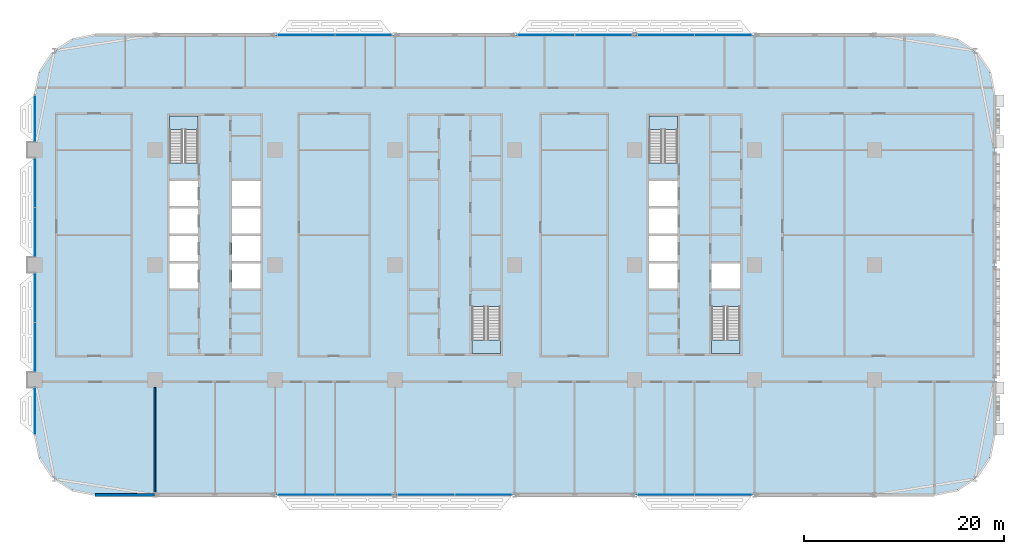
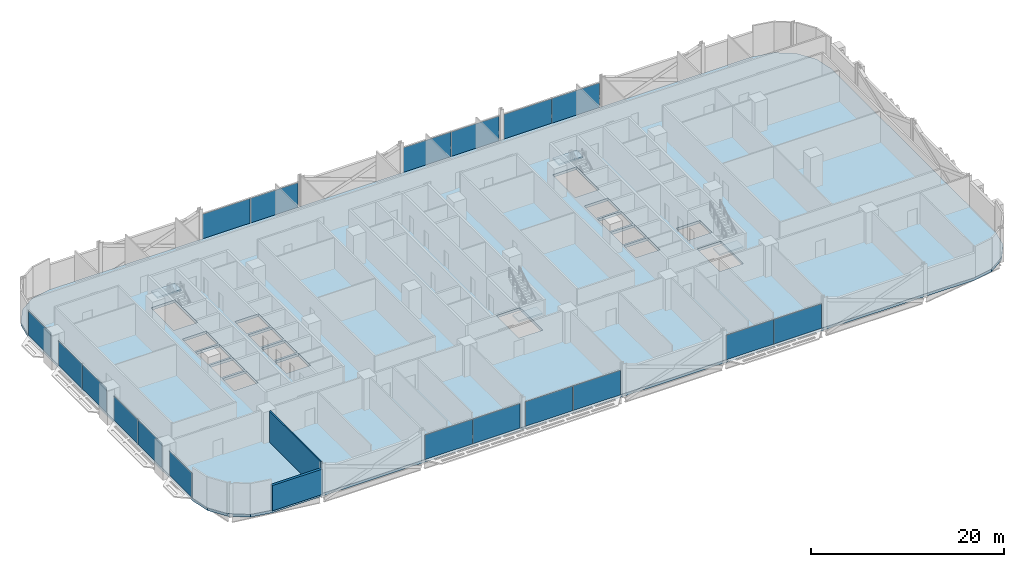
# One storey, part 11 of 29: 18 plates, 5 slabs, 2 walls, 14 elements without a shape of their own.
"""IFC4 building model written with IfcOpenShell, lengths in metres."""

import ifcopenshell
import ifcopenshell.guid

model = None  # the IFC model being written
_history = None  # IfcOwnerHistory: only IFC2X3 demands one
_inside = {}  # id of a spatial element -> (the spatial element, [elements in it])
_under = {}  # id of a project, library or spatial element -> (it, [spatial elements below it])
_declared = {}  # id of a project -> (the project, [libraries it declares])
_typed = {}  # id of a type object -> (the type object, [elements of that type])
_made_of = {}  # id of a material, layer set ... -> (it, [elements and type objects made of it])


def new_model(schema):
    """Start an empty IFC model of exactly this schema.

    Asked for "IFC4X3", IfcOpenShell would pick the latest addendum, in which some entities
    have other attributes; the version numbers below select the first issue.
    IFC2X3 requires an IfcOwnerHistory on every rooted entity: one is made here for all.
    """
    global model, _history
    if schema == "IFC4X3":
        model = ifcopenshell.file(schema_version=(4, 3, 0, 0))
    else:
        model = ifcopenshell.file(schema=schema)
    _inside.clear()
    _under.clear()
    _declared.clear()
    _typed.clear()
    _made_of.clear()
    _history = None
    if model.schema == "IFC2X3":
        org = make("IfcOrganization", Name="unknown")
        user = make(
            "IfcPersonAndOrganization",
            ThePerson=make("IfcPerson", FamilyName="unknown"),
            TheOrganization=org,
        )
        app = make(
            "IfcApplication",
            ApplicationDeveloper=org,
            Version="unknown",
            ApplicationFullName="unknown",
            ApplicationIdentifier="unknown",
        )
        _history = make(
            "IfcOwnerHistory",
            OwningUser=user,
            OwningApplication=app,
            ChangeAction="ADDED",
            CreationDate=0,
        )
    return model


def make(cls, **values):
    """One entity of the class cls with the attributes given. An attribute that is None is left unset."""
    return model.create_entity(
        cls, **{name: value for name, value in values.items() if value is not None}
    )


def rooted(cls, **values):
    """An entity with a GlobalId (a new one), such as an element, a storey or a relation."""
    return make(cls, GlobalId=ifcopenshell.guid.new(), OwnerHistory=_history, **values)


def si_unit(unit_type, name, prefix=None):
    """IfcSIUnit, for example si_unit("LENGTHUNIT", "METRE", prefix="MILLI")."""
    return make("IfcSIUnit", UnitType=unit_type, Prefix=prefix, Name=name)


def assignment(units):
    """IfcUnitAssignment: the units of a project."""
    return None if units is None else make("IfcUnitAssignment", Units=units)


def point(xyz):
    """IfcCartesianPoint."""
    return None if xyz is None else make("IfcCartesianPoint", Coordinates=xyz)


def direction(xyz):
    """IfcDirection."""
    return None if xyz is None else make("IfcDirection", DirectionRatios=xyz)


def frame(location, z_axis=None, x_axis=None):
    """IfcAxis2Placement3D, a coordinate frame: its origin and axes. An axis left out is left unset."""
    return make(
        "IfcAxis2Placement3D",
        Location=point(location),
        Axis=direction(z_axis),
        RefDirection=direction(x_axis),
    )


def frame_2d(location, x_axis=None):
    """IfcAxis2Placement2D, a coordinate frame in the plane: its origin and x axis."""
    return make(
        "IfcAxis2Placement2D", Location=point(location), RefDirection=direction(x_axis)
    )


def origin():
    """The frame at (0, 0, 0) with its axes left unset."""
    return frame((0.0, 0.0, 0.0))


def origin_2d():
    """The frame at (0, 0) in the plane with its x axis left unset."""
    return frame_2d((0.0, 0.0))


def place(relative_to, where):
    """IfcLocalPlacement: puts the frame where relative to a parent placement (None: the world)."""
    return make(
        "IfcLocalPlacement", PlacementRelTo=relative_to, RelativePlacement=where
    )


def context(
    kind, dimensions, precision=None, world=None, true_north=None, identifier=None
):
    """IfcGeometricRepresentationContext, for example the 3D "Model" context."""
    return make(
        "IfcGeometricRepresentationContext",
        ContextIdentifier=identifier,
        ContextType=kind,
        CoordinateSpaceDimension=dimensions,
        Precision=precision,
        WorldCoordinateSystem=world,
        TrueNorth=true_north,
    )


def subcontext(parent, identifier, kind, view, scale=None):
    """IfcGeometricRepresentationSubContext, for example "Body" below "Model"."""
    return make(
        "IfcGeometricRepresentationSubContext",
        ContextIdentifier=identifier,
        ContextType=kind,
        ParentContext=parent,
        TargetScale=scale,
        TargetView=view,
    )


def project(units=None, contexts=None):
    """IfcProject with its units and contexts."""
    return rooted(
        "IfcProject",
        Name="project",
        RepresentationContexts=contexts,
        UnitsInContext=assignment(units),
    )


def spatial(cls, under=None, at=None, **own):
    """A site, building, storey or space (cls), placed at a placement, below another one or the project."""
    s = rooted(cls, ObjectPlacement=at, **own)
    if under is not None:
        _under.setdefault(under.id(), (under, []))[1].append(s)
    return s


def polyline(points):
    """IfcPolyline through the points."""
    return make("IfcPolyline", Points=[point(p) for p in points])


def profile(cls, at=None, kind="AREA", **sizes):
    """A parametric profile (cls). Its sizes go by their IFC names, for example OverallWidth=200.0."""
    return make(cls, ProfileType=kind, Position=at, **sizes)


def rectangle(**sizes):
    """IfcRectangleProfileDef."""
    return profile("IfcRectangleProfileDef", **sizes)


def outline(outer, holes=None, kind="AREA"):
    """IfcArbitraryClosedProfileDef: a profile drawn as a closed curve; with holes, ...WithVoids."""
    if holes is None:
        return make("IfcArbitraryClosedProfileDef", ProfileType=kind, OuterCurve=outer)
    return make(
        "IfcArbitraryProfileDefWithVoids",
        ProfileType=kind,
        OuterCurve=outer,
        InnerCurves=holes,
    )


def extrude(swept, where, along, depth):
    """IfcExtrudedAreaSolid: the profile swept, set in the frame where, extruded along a direction by depth."""
    return make(
        "IfcExtrudedAreaSolid",
        SweptArea=swept,
        Position=where,
        ExtrudedDirection=direction(along),
        Depth=depth,
    )


def shape(context_of_items, identifier, shape_type, items):
    """IfcShapeRepresentation: the items that make up one representation, for example the "Body"."""
    return make(
        "IfcShapeRepresentation",
        ContextOfItems=context_of_items,
        RepresentationIdentifier=identifier,
        RepresentationType=shape_type,
        Items=items,
    )


def material(Name=None, Category=None):
    """IfcMaterial."""
    return make("IfcMaterial", Name=Name, Category=Category)


def layer(
    of_material, thickness, ventilated=None, Name=None, Category=None, Priority=None
):
    """IfcMaterialLayer: one layer of a wall or slab, of a material (None: an air gap)."""
    return make(
        "IfcMaterialLayer",
        Material=of_material,
        LayerThickness=thickness,
        IsVentilated=ventilated,
        Name=Name,
        Category=Category,
        Priority=Priority,
    )


def layer_set(layers, Name=None):
    """IfcMaterialLayerSet."""
    return make("IfcMaterialLayerSet", MaterialLayers=layers, LayerSetName=Name)


def made_of(thing, what):
    """Note that an element or type object is made of a material, layer set ...; save() writes the relation."""
    if what is not None:
        _made_of.setdefault(what.id(), (what, []))[1].append(thing)
    return thing


def type_object(cls, material=None, **own):
    """A type object (cls), such as IfcWallType, which elements share."""
    return made_of(rooted(cls, **own), material)


def element(
    cls,
    number,
    at=None,
    inside=None,
    cuts=None,
    type_object=None,
    material=None,
    context=None,
    identifier="Body",
    shape_type=None,
    held_by="IfcProductDefinitionShape",
    body=None,
    shapes=None,
    **own,
):
    """One element of the class cls, such as IfcWall. Its Tag is "e" and its number.

    at: its placement. inside: the storey or other place that contains it. cuts: it is an
    opening in that element (IfcRelVoidsElement). A single representation is given by context,
    identifier, shape_type and body (its items); several are given by shapes. held_by: the class
    of the entity that holds the representations. save() writes the other relations.
    """
    e = rooted(cls, Tag="e%d" % number, ObjectPlacement=at, **own)
    if body is not None:
        shapes = [shape(context, identifier, shape_type, body)]
    if shapes is not None:
        e.Representation = make(held_by, Representations=shapes)
    if inside is not None:
        _inside.setdefault(inside.id(), (inside, []))[1].append(e)
    if cuts is not None:
        rooted(
            "IfcRelVoidsElement", RelatingBuildingElement=cuts, RelatedOpeningElement=e
        )
    if type_object is not None:
        _typed.setdefault(type_object.id(), (type_object, []))[1].append(e)
    return made_of(e, material)


def aggregate(whole, parts):
    """IfcRelAggregates: a whole, such as a stair, and the parts it consists of."""
    return rooted("IfcRelAggregates", RelatingObject=whole, RelatedObjects=parts)


def save(model, path):
    """Write the relations noted so far, then the file.

    IfcRelAggregates (storeys below a building ...), IfcRelContainedInSpatialStructure (elements
    in a storey), IfcRelDefinesByType, IfcRelAssociatesMaterial and IfcRelDeclares: one each for
    every whole, place, type object, material and project.
    """
    for whole, parts in _under.values():
        aggregate(whole, parts)
    for where, things in _inside.values():
        rooted(
            "IfcRelContainedInSpatialStructure",
            RelatedElements=things,
            RelatingStructure=where,
        )
    for kind, things in _typed.values():
        rooted("IfcRelDefinesByType", RelatedObjects=things, RelatingType=kind)
    for what, things in _made_of.values():
        rooted("IfcRelAssociatesMaterial", RelatedObjects=things, RelatingMaterial=what)
    for by, libraries in _declared.values():
        rooted("IfcRelDeclares", RelatingContext=by, RelatedDefinitions=libraries)
    model.write(path)


model = new_model("IFC4")

# Units and contexts
model_context = context("Model", 3, precision=1e-05, world=origin(), true_north=direction((0.0, 1.0)))
body_context = subcontext(model_context, "Body", "Model", "MODEL_VIEW")
ifc_project = project(units=[si_unit("LENGTHUNIT", "METRE"), si_unit("AREAUNIT", "SQUARE_METRE"), si_unit("VOLUMEUNIT", "CUBIC_METRE"), si_unit("PLANEANGLEUNIT", "RADIAN"), si_unit("MASSUNIT", "GRAM", prefix="KILO")], contexts=[model_context])

# Site, building, storey
site_placement = place(None, origin())
site = spatial("IfcSite", under=ifc_project, at=site_placement, CompositionType="ELEMENT")
building_placement = place(site_placement, origin())
building = spatial("IfcBuilding", under=site, at=building_placement, Name="Mahtab Terrace Research Tower", CompositionType="ELEMENT")
storey_placement = place(building_placement, frame((0.0, 0.0, 54.60009765625)))
storey = spatial("IfcBuildingStorey", under=building, at=storey_placement, Name="L12", CompositionType="ELEMENT", Elevation=54.60009765625)

# Stair, slab
ifc_material_1 = material(Name="Exit stair half-turn")
stair_type = type_object("IfcStairType", Name="Exit stair half-turn", PredefinedType="HALF_TURN_STAIR", material=ifc_material_1)
stair_1_placement = place(storey_placement, origin())
stair_1 = element("IfcStair", 1, at=stair_1_placement, inside=storey, type_object=stair_type, Name="L12 Protected exit stair ST1", PredefinedType="HALF_TURN_STAIR")
ifc_material_2 = material(Name="Concrete C40/50", Category="concrete")
ifc_layer_1 = layer(ifc_material_2, 0.199951171875)
ifc_layer_set_1 = layer_set([ifc_layer_1], Name="Exit stair landing 200")
slab_type_1 = type_object("IfcSlabType", Name="Exit stair landing 200", PredefinedType="LANDING", material=ifc_layer_set_1)
slab_1_placement = place(storey_placement, frame((0.0, 0.0, 1.949951171875)))
slab_1 = element("IfcSlab", 2, at=slab_1_placement, type_object=slab_type_1, Name="ST1 landing 1", PredefinedType="LANDING", context=body_context, shape_type="SweptSolid", body=[
    extrude(outline(polyline([(-25.699951171875, 13.534912109375), (-25.699951171875, 14.875), (-28.550048828125, 14.875), (-28.550048828125, 13.534912109375), (-25.699951171875, 13.534912109375)])), origin(), (0.0, 0.0, 1.0), 0.199951171875),
])
aggregate(stair_1, [slab_1])

stair_2_placement = place(storey_placement, origin())
stair_2 = element("IfcStair", 3, at=stair_2_placement, inside=storey, type_object=stair_type, Name="L12 Protected exit stair ST2", PredefinedType="HALF_TURN_STAIR")
slab_2_placement = place(storey_placement, frame((0.0, 0.0, 1.949951171875)))
slab_2 = element("IfcSlab", 4, at=slab_2_placement, type_object=slab_type_1, Name="ST2 landing 1", PredefinedType="LANDING", context=body_context, shape_type="SweptSolid", body=[
    extrude(outline(polyline([(1.699951171875, -7.534912109375), (1.699951171875, -8.875), (4.550048828125, -8.875), (4.550048828125, -7.534912109375), (1.699951171875, -7.534912109375)])), origin(), (0.0, 0.0, 1.0), 0.199951171875),
])
aggregate(stair_2, [slab_2])

stair_3_placement = place(storey_placement, origin())
stair_3 = element("IfcStair", 5, at=stair_3_placement, inside=storey, type_object=stair_type, Name="L12 Protected exit stair ST3", PredefinedType="HALF_TURN_STAIR")
slab_3_placement = place(storey_placement, frame((0.0, 0.0, 1.949951171875)))
slab_3 = element("IfcSlab", 6, at=slab_3_placement, type_object=slab_type_1, Name="ST3 landing 1", PredefinedType="LANDING", context=body_context, shape_type="SweptSolid", body=[
    extrude(outline(polyline([(22.300048828125, 13.534912109375), (22.300048828125, 14.875), (19.449951171875, 14.875), (19.449951171875, 13.534912109375), (22.300048828125, 13.534912109375)])), origin(), (0.0, 0.0, 1.0), 0.199951171875),
])
aggregate(stair_3, [slab_3])

stair_4_placement = place(storey_placement, origin())
stair_4 = element("IfcStair", 7, at=stair_4_placement, inside=storey, type_object=stair_type, Name="L12 Protected exit stair ST4", PredefinedType="HALF_TURN_STAIR")
slab_4_placement = place(storey_placement, frame((0.0, 0.0, 1.949951171875)))
slab_4 = element("IfcSlab", 8, at=slab_4_placement, type_object=slab_type_1, Name="ST4 landing 1", PredefinedType="LANDING", context=body_context, shape_type="SweptSolid", body=[
    extrude(outline(polyline([(25.699951171875, -7.534912109375), (25.699951171875, -8.875), (28.550048828125, -8.875), (28.550048828125, -7.534912109375), (25.699951171875, -7.534912109375)])), origin(), (0.0, 0.0, 1.0), 0.199951171875),
])
aggregate(stair_4, [slab_4])

# Curtain wall, plates
ifc_material_3 = material(Name="Laboratory ribbon curtain wall")
curtain_wall_type = type_object("IfcCurtainWallType", Name="Laboratory ribbon curtain wall", PredefinedType="NOTDEFINED", material=ifc_material_3)
curtain_wall_1_placement = place(storey_placement, origin())
curtain_wall_1 = element("IfcCurtainWall", 9, at=curtain_wall_1_placement, inside=storey, type_object=curtain_wall_type, Name="EN.L12.3.5", PredefinedType="NOTDEFINED")
ifc_material_4 = material(Name="Dark glazing", Category="glass")
ifc_layer_2 = layer(ifc_material_4, 0.031982421875)
ifc_layer_set_2 = layer_set([ifc_layer_2], Name="Laboratory ribbon curtain wall glazing panel")
plate_type = type_object("IfcPlateType", Name="Laboratory ribbon curtain wall glazing panel", PredefinedType="CURTAIN_PANEL", material=ifc_layer_set_2)
plate_1_placement = place(storey_placement, frame((26.86474609375, 23.0, 0.0), z_axis=(0.0, 0.0, 1.0), x_axis=(-1.0, 0.0, 0.0)))
plate_1 = element("IfcPlate", 10, at=plate_1_placement, type_object=plate_type, Name="CWL-2 panel 1", PredefinedType="CURTAIN_PANEL", context=body_context, shape_type="SweptSolid", body=[
    extrude(rectangle(XDim=5.66455078125, YDim=0.031982421875, at=origin_2d()), origin(), (0.0, 0.0, 1.0), 3.10302734375),
])
plate_2_placement = place(storey_placement, frame((21.13525390625, 23.0, 0.0), z_axis=(0.0, 0.0, 1.0), x_axis=(-1.0, 0.0, 0.0)))
plate_2 = element("IfcPlate", 11, at=plate_2_placement, type_object=plate_type, Name="CWL-2 panel 2", PredefinedType="CURTAIN_PANEL", context=body_context, shape_type="SweptSolid", body=[
    extrude(rectangle(XDim=5.66455078125, YDim=0.031982421875, at=origin_2d()), origin(), (0.0, 0.0, 1.0), 3.10302734375),
])
aggregate(curtain_wall_1, [plate_1, plate_2])

curtain_wall_2_placement = place(storey_placement, origin())
curtain_wall_2 = element("IfcCurtainWall", 12, at=curtain_wall_2_placement, inside=storey, type_object=curtain_wall_type, Name="EN.L12.3.6", PredefinedType="NOTDEFINED")
plate_3_placement = place(storey_placement, frame((14.86474609375, 23.0, 0.0), z_axis=(0.0, 0.0, 1.0), x_axis=(-1.0, 0.0, 0.0)))
plate_3 = element("IfcPlate", 13, at=plate_3_placement, type_object=plate_type, Name="CWL-2 panel 1", PredefinedType="CURTAIN_PANEL", context=body_context, shape_type="SweptSolid", body=[
    extrude(rectangle(XDim=5.66455078125, YDim=0.031982421875, at=origin_2d()), origin(), (0.0, 0.0, 1.0), 3.10302734375),
])
plate_4_placement = place(storey_placement, frame((9.13525390625, 23.0, 0.0), z_axis=(0.0, 0.0, 1.0), x_axis=(-1.0, 0.0, 0.0)))
plate_4 = element("IfcPlate", 14, at=plate_4_placement, type_object=plate_type, Name="CWL-2 panel 2", PredefinedType="CURTAIN_PANEL", context=body_context, shape_type="SweptSolid", body=[
    extrude(rectangle(XDim=5.66455078125, YDim=0.031982421875, at=origin_2d()), origin(), (0.0, 0.0, 1.0), 3.10302734375),
])
aggregate(curtain_wall_2, [plate_3, plate_4])

curtain_wall_3_placement = place(storey_placement, origin())
curtain_wall_3 = element("IfcCurtainWall", 15, at=curtain_wall_3_placement, inside=storey, type_object=curtain_wall_type, Name="EN.L12.3.8", PredefinedType="NOTDEFINED")
plate_5_placement = place(storey_placement, frame((-9.13525390625, 23.0, 0.0), z_axis=(0.0, 0.0, 1.0), x_axis=(-1.0, 0.0, 0.0)))
plate_5 = element("IfcPlate", 16, at=plate_5_placement, type_object=plate_type, Name="CWL-2 panel 1", PredefinedType="CURTAIN_PANEL", context=body_context, shape_type="SweptSolid", body=[
    extrude(rectangle(XDim=5.66455078125, YDim=0.031982421875, at=origin_2d()), origin(), (0.0, 0.0, 1.0), 3.10302734375),
])
plate_6_placement = place(storey_placement, frame((-14.86474609375, 23.0, 0.0), z_axis=(0.0, 0.0, 1.0), x_axis=(-1.0, 0.0, 0.0)))
plate_6 = element("IfcPlate", 17, at=plate_6_placement, type_object=plate_type, Name="CWL-2 panel 2", PredefinedType="CURTAIN_PANEL", context=body_context, shape_type="SweptSolid", body=[
    extrude(rectangle(XDim=5.66455078125, YDim=0.031982421875, at=origin_2d()), origin(), (0.0, 0.0, 1.0), 3.10302734375),
])
aggregate(curtain_wall_3, [plate_5, plate_6])

# Curtain wall, plate
curtain_wall_4_placement = place(storey_placement, origin())
curtain_wall_4 = element("IfcCurtainWall", 18, at=curtain_wall_4_placement, inside=storey, type_object=curtain_wall_type, Name="EN.L12.8.15", PredefinedType="NOTDEFINED")
plate_7_placement = place(storey_placement, frame((-42.0, 14.625, 0.0), z_axis=(0.0, 0.0, 1.0), x_axis=(0.0, -1.0, 0.0)))
plate_7 = element("IfcPlate", 19, at=plate_7_placement, type_object=plate_type, Name="CWL-2 panel 1", PredefinedType="CURTAIN_PANEL", context=body_context, shape_type="SweptSolid", body=[
    extrude(rectangle(XDim=4.6201171875, YDim=0.031982421875, at=origin_2d()), origin(), (0.0, 0.0, 1.0), 3.10302734375),
])
aggregate(curtain_wall_4, [plate_7])

# Curtain wall, plates
curtain_wall_5_placement = place(storey_placement, origin())
curtain_wall_5 = element("IfcCurtainWall", 20, at=curtain_wall_5_placement, inside=storey, type_object=curtain_wall_type, Name="EN.L12.8.16", PredefinedType="NOTDEFINED")
plate_8_placement = place(storey_placement, frame((-42.0, 8.233642578125, 0.0), z_axis=(0.0, 0.0, 1.0), x_axis=(0.0, -1.0, 0.0)))
plate_8 = element("IfcPlate", 21, at=plate_8_placement, type_object=plate_type, Name="CWL-2 panel 1", PredefinedType="CURTAIN_PANEL", context=body_context, shape_type="SweptSolid", body=[
    extrude(rectangle(XDim=4.902587890625, YDim=0.031982421875, at=origin_2d()), origin(), (0.0, 0.0, 1.0), 3.10302734375),
])
plate_9_placement = place(storey_placement, frame((-42.0, 3.266357421875, 0.0), z_axis=(0.0, 0.0, 1.0), x_axis=(0.0, -1.0, 0.0)))
plate_9 = element("IfcPlate", 22, at=plate_9_placement, type_object=plate_type, Name="CWL-2 panel 2", PredefinedType="CURTAIN_PANEL", context=body_context, shape_type="SweptSolid", body=[
    extrude(rectangle(XDim=4.902587890625, YDim=0.031982421875, at=origin_2d()), origin(), (0.0, 0.0, 1.0), 3.10302734375),
])
aggregate(curtain_wall_5, [plate_8, plate_9])

curtain_wall_6_placement = place(storey_placement, origin())
curtain_wall_6 = element("IfcCurtainWall", 23, at=curtain_wall_6_placement, inside=storey, type_object=curtain_wall_type, Name="EN.L12.8.17", PredefinedType="NOTDEFINED")
plate_10_placement = place(storey_placement, frame((-42.0, -3.266357421875, 0.0), z_axis=(0.0, 0.0, 1.0), x_axis=(0.0, -1.0, 0.0)))
plate_10 = element("IfcPlate", 24, at=plate_10_placement, type_object=plate_type, Name="CWL-2 panel 1", PredefinedType="CURTAIN_PANEL", context=body_context, shape_type="SweptSolid", body=[
    extrude(rectangle(XDim=4.902587890625, YDim=0.031982421875, at=origin_2d()), origin(), (0.0, 0.0, 1.0), 3.10302734375),
])
plate_11_placement = place(storey_placement, frame((-42.0, -8.233642578125, 0.0), z_axis=(0.0, 0.0, 1.0), x_axis=(0.0, -1.0, 0.0)))
plate_11 = element("IfcPlate", 25, at=plate_11_placement, type_object=plate_type, Name="CWL-2 panel 2", PredefinedType="CURTAIN_PANEL", context=body_context, shape_type="SweptSolid", body=[
    extrude(rectangle(XDim=4.902587890625, YDim=0.031982421875, at=origin_2d()), origin(), (0.0, 0.0, 1.0), 3.10302734375),
])
aggregate(curtain_wall_6, [plate_10, plate_11])

# Curtain wall, plate
curtain_wall_7_placement = place(storey_placement, origin())
curtain_wall_7 = element("IfcCurtainWall", 26, at=curtain_wall_7_placement, inside=storey, type_object=curtain_wall_type, Name="EN.L12.8.18", PredefinedType="NOTDEFINED")
plate_12_placement = place(storey_placement, frame((-42.0, -14.625, 0.0), z_axis=(0.0, 0.0, 1.0), x_axis=(0.0, -1.0, 0.0)))
plate_12 = element("IfcPlate", 27, at=plate_12_placement, type_object=plate_type, Name="CWL-2 panel 1", PredefinedType="CURTAIN_PANEL", context=body_context, shape_type="SweptSolid", body=[
    extrude(rectangle(XDim=4.6201171875, YDim=0.031982421875, at=origin_2d()), origin(), (0.0, 0.0, 1.0), 3.10302734375),
])
aggregate(curtain_wall_7, [plate_12])

# Curtain wall, plates
curtain_wall_8_placement = place(storey_placement, origin())
curtain_wall_8 = element("IfcCurtainWall", 28, at=curtain_wall_8_placement, inside=storey, type_object=curtain_wall_type, Name="EN.L12.13.25", PredefinedType="NOTDEFINED")
plate_13_placement = place(storey_placement, frame((-14.86474609375, -23.0, 0.0), z_axis=(0.0, 0.0, 1.0), x_axis=(1.0, 0.0, 0.0)))
plate_13 = element("IfcPlate", 29, at=plate_13_placement, type_object=plate_type, Name="CWL-2 panel 1", PredefinedType="CURTAIN_PANEL", context=body_context, shape_type="SweptSolid", body=[
    extrude(rectangle(XDim=5.66455078125, YDim=0.031982421875, at=origin_2d()), origin(), (0.0, 0.0, 1.0), 3.10302734375),
])
plate_14_placement = place(storey_placement, frame((-9.13525390625, -23.0, 0.0), z_axis=(0.0, 0.0, 1.0), x_axis=(1.0, 0.0, 0.0)))
plate_14 = element("IfcPlate", 30, at=plate_14_placement, type_object=plate_type, Name="CWL-2 panel 2", PredefinedType="CURTAIN_PANEL", context=body_context, shape_type="SweptSolid", body=[
    extrude(rectangle(XDim=5.66455078125, YDim=0.031982421875, at=origin_2d()), origin(), (0.0, 0.0, 1.0), 3.10302734375),
])
aggregate(curtain_wall_8, [plate_13, plate_14])

curtain_wall_9_placement = place(storey_placement, origin())
curtain_wall_9 = element("IfcCurtainWall", 31, at=curtain_wall_9_placement, inside=storey, type_object=curtain_wall_type, Name="EN.L12.13.26", PredefinedType="NOTDEFINED")
plate_15_placement = place(storey_placement, frame((-2.86474609375, -23.0, 0.0), z_axis=(0.0, 0.0, 1.0), x_axis=(1.0, 0.0, 0.0)))
plate_15 = element("IfcPlate", 32, at=plate_15_placement, type_object=plate_type, Name="CWL-2 panel 1", PredefinedType="CURTAIN_PANEL", context=body_context, shape_type="SweptSolid", body=[
    extrude(rectangle(XDim=5.66455078125, YDim=0.031982421875, at=origin_2d()), origin(), (0.0, 0.0, 1.0), 3.10302734375),
])
plate_16_placement = place(storey_placement, frame((2.86474609375, -23.0, 0.0), z_axis=(0.0, 0.0, 1.0), x_axis=(1.0, 0.0, 0.0)))
plate_16 = element("IfcPlate", 33, at=plate_16_placement, type_object=plate_type, Name="CWL-2 panel 2", PredefinedType="CURTAIN_PANEL", context=body_context, shape_type="SweptSolid", body=[
    extrude(rectangle(XDim=5.66455078125, YDim=0.031982421875, at=origin_2d()), origin(), (0.0, 0.0, 1.0), 3.10302734375),
])
aggregate(curtain_wall_9, [plate_15, plate_16])

curtain_wall_10_placement = place(storey_placement, origin())
curtain_wall_10 = element("IfcCurtainWall", 34, at=curtain_wall_10_placement, inside=storey, type_object=curtain_wall_type, Name="EN.L12.13.28", PredefinedType="NOTDEFINED")
plate_17_placement = place(storey_placement, frame((21.13525390625, -23.0, 0.0), z_axis=(0.0, 0.0, 1.0), x_axis=(1.0, 0.0, 0.0)))
plate_17 = element("IfcPlate", 35, at=plate_17_placement, type_object=plate_type, Name="CWL-2 panel 1", PredefinedType="CURTAIN_PANEL", context=body_context, shape_type="SweptSolid", body=[
    extrude(rectangle(XDim=5.66455078125, YDim=0.031982421875, at=origin_2d()), origin(), (0.0, 0.0, 1.0), 3.10302734375),
])
plate_18_placement = place(storey_placement, frame((26.86474609375, -23.0, 0.0), z_axis=(0.0, 0.0, 1.0), x_axis=(1.0, 0.0, 0.0)))
plate_18 = element("IfcPlate", 36, at=plate_18_placement, type_object=plate_type, Name="CWL-2 panel 2", PredefinedType="CURTAIN_PANEL", context=body_context, shape_type="SweptSolid", body=[
    extrude(rectangle(XDim=5.66455078125, YDim=0.031982421875, at=origin_2d()), origin(), (0.0, 0.0, 1.0), 3.10302734375),
])
aggregate(curtain_wall_10, [plate_17, plate_18])

# Slab
ifc_layer_3 = layer(ifc_material_2, 0.340087890625)
ifc_layer_set_3 = layer_set([ifc_layer_3], Name="PT flat slab 340")
slab_type_2 = type_object("IfcSlabType", Name="PT flat slab 340", PredefinedType="FLOOR", material=ifc_layer_set_3)
slab_5_placement = place(storey_placement, frame((0.0, 0.0, -0.340087890625)))
element("IfcSlab", 37, at=slab_5_placement, inside=storey, type_object=slab_type_2, Name="Floor slab L12", PredefinedType="FLOOR", context=body_context, shape_type="SweptSolid", body=[
    extrude(outline(polyline([(53.54296875, 19.2958984375), (52.242919921875, 21.242919921875), (50.2958984375, 22.54296875), (48.0, 23.0), (-36.0, 23.0), (-38.2958984375, 22.54296875), (-40.242919921875, 21.242919921875), (-41.54296875, 19.2958984375), (-42.0, 17.0), (-42.0, -17.0), (-41.54296875, -19.2958984375), (-40.242919921875, -21.242919921875), (-38.2958984375, -22.54296875), (-36.0, -23.0), (48.0, -23.0), (50.2958984375, -22.54296875), (52.242919921875, -21.242919921875), (53.54296875, -19.2958984375), (54.0, -17.0), (54.0, 17.0), (53.54296875, 19.2958984375)]), holes=[polyline([(-28.550048828125, -2.375), (-28.550048828125, 0.125), (-25.699951171875, 0.125), (-25.699951171875, -2.375), (-28.550048828125, -2.375)]), polyline([(-22.300048828125, -2.375), (-22.300048828125, 0.125), (-19.449951171875, 0.125), (-19.449951171875, -2.375), (-22.300048828125, -2.375)]), polyline([(-28.550048828125, 0.375), (-28.550048828125, 2.875), (-25.699951171875, 2.875), (-25.699951171875, 0.375), (-28.550048828125, 0.375)]), polyline([(-22.300048828125, 0.375), (-22.300048828125, 2.875), (-19.449951171875, 2.875), (-19.449951171875, 0.375), (-22.300048828125, 0.375)]), polyline([(-28.550048828125, 3.125), (-28.550048828125, 5.625), (-25.699951171875, 5.625), (-25.699951171875, 3.125), (-28.550048828125, 3.125)]), polyline([(-22.300048828125, 3.125), (-22.300048828125, 5.625), (-19.449951171875, 5.625), (-19.449951171875, 3.125), (-22.300048828125, 3.125)]), polyline([(-28.550048828125, 5.875), (-28.550048828125, 8.375), (-25.699951171875, 8.375), (-25.699951171875, 5.875), (-28.550048828125, 5.875)]), polyline([(-22.300048828125, 5.875), (-22.300048828125, 8.375), (-19.449951171875, 8.375), (-19.449951171875, 5.875), (-22.300048828125, 5.875)]), polyline([(-28.550048828125, 10.177001953125), (-28.550048828125, 14.875), (-25.699951171875, 14.875), (-25.699951171875, 10.177001953125), (-28.550048828125, 10.177001953125)]), polyline([(1.699951171875, -8.875), (1.699951171875, -4.177001953125), (4.550048828125, -4.177001953125), (4.550048828125, -8.875), (1.699951171875, -8.875)]), polyline([(25.699951171875, -8.875), (25.699951171875, -4.177001953125), (28.550048828125, -4.177001953125), (28.550048828125, -8.875), (25.699951171875, -8.875)]), polyline([(19.449951171875, -2.375), (19.449951171875, 0.125), (22.300048828125, 0.125), (22.300048828125, -2.375), (19.449951171875, -2.375)]), polyline([(25.699951171875, -2.375), (25.699951171875, 0.125), (28.550048828125, 0.125), (28.550048828125, -2.375), (25.699951171875, -2.375)]), polyline([(19.449951171875, 0.375), (19.449951171875, 2.875), (22.300048828125, 2.875), (22.300048828125, 0.375), (19.449951171875, 0.375)]), polyline([(19.449951171875, 3.125), (19.449951171875, 5.625), (22.300048828125, 5.625), (22.300048828125, 3.125), (19.449951171875, 3.125)]), polyline([(19.449951171875, 8.375), (22.300048828125, 8.375), (22.300048828125, 5.875), (19.449951171875, 5.875), (19.449951171875, 8.375)]), polyline([(19.449951171875, 14.875), (22.300048828125, 14.875), (22.300048828125, 10.177001953125), (19.449951171875, 10.177001953125), (19.449951171875, 14.875)])]), origin(), (0.0, 0.0, 1.0), 0.340087890625),
])

# Walls
ifc_material_5 = material(Name="Black aluminium cladding panel", Category="aluminium")
ifc_layer_4 = layer(ifc_material_5, 0.300048828125)
ifc_layer_set_4 = layer_set([ifc_layer_4], Name="Opaque facade wall 300")
wall_type_1 = type_object("IfcWallType", Name="Opaque facade wall 300", PredefinedType="NOTDEFINED", material=ifc_layer_set_4)
wall_1_placement = place(storey_placement, frame((-36.0, -23.0, 0.0), z_axis=(0.0, 0.0, 1.0), x_axis=(1.0, 0.0, 0.0)))
element("IfcWall", 38, at=wall_1_placement, inside=storey, type_object=wall_type_1, Name="Opaque facade wall L12 S23", PredefinedType="NOTDEFINED", context=body_context, shape_type="SweptSolid", body=[
    extrude(rectangle(XDim=5.97607421875, YDim=0.300048828125, at=frame_2d((2.988037109375, 0.0))), origin(), (0.0, 0.0, 1.0), 3.202880859375),
])
ifc_material_6 = material(Name="Gypsum board partition on steel studs", Category="steel")
ifc_layer_5 = layer(ifc_material_6, 0.14990234375)
ifc_layer_set_5 = layer_set([ifc_layer_5], Name="WALL PARTITION 150")
wall_type_2 = type_object("IfcWallType", Name="WALL PARTITION 150", PredefinedType="PARTITIONING", material=ifc_layer_set_5)
wall_2_placement = place(storey_placement, frame((-30.0, -22.85009765625, 0.0), z_axis=(0.0, 0.0, 1.0), x_axis=(0.0, 1.0, 0.0)))
element("IfcWall", 39, at=wall_2_placement, inside=storey, type_object=wall_type_2, Name="L12-W030", PredefinedType="PARTITIONING", context=body_context, shape_type="SweptSolid", body=[
    extrude(rectangle(XDim=10.60009765625, YDim=0.14990234375, at=frame_2d((5.300048828125, 0.0))), origin(), (0.0, 0.0, 1.0), 3.9599609375),
])

save(model, "model.ifc")
